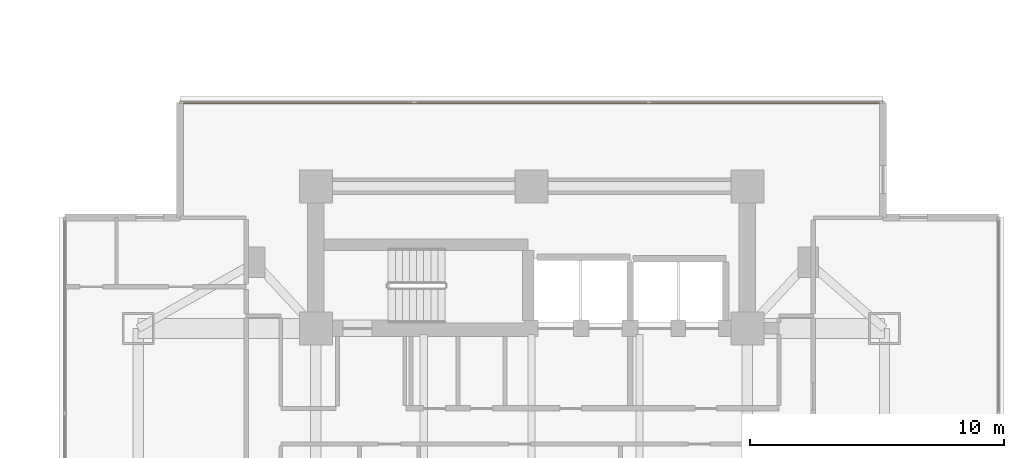
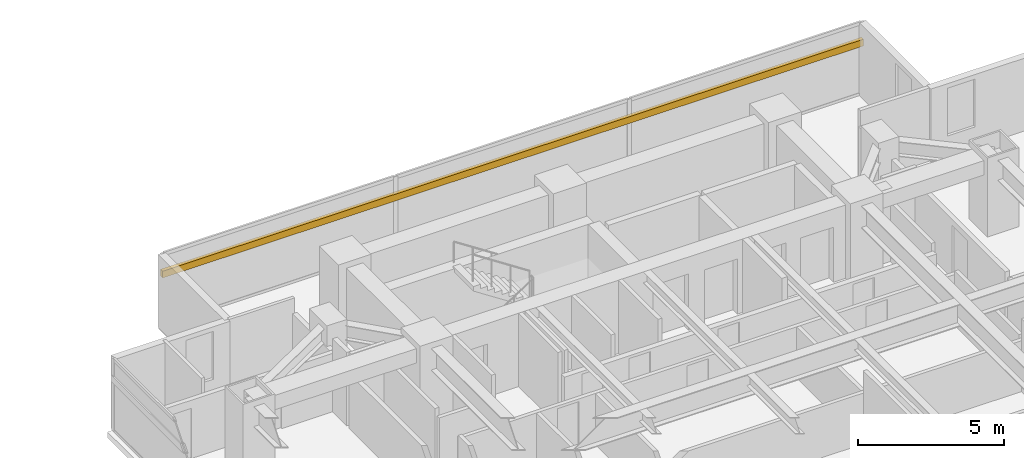
# One storey, part 24 of 24: 1 shading device.
"""IFC4 building model written with IfcOpenShell, lengths in metres."""

import ifcopenshell
import ifcopenshell.guid

model = None  # the IFC model being written
_history = None  # IfcOwnerHistory: only IFC2X3 demands one
_inside = {}  # id of a spatial element -> (the spatial element, [elements in it])
_under = {}  # id of a project, library or spatial element -> (it, [spatial elements below it])
_declared = {}  # id of a project -> (the project, [libraries it declares])
_typed = {}  # id of a type object -> (the type object, [elements of that type])
_made_of = {}  # id of a material, layer set ... -> (it, [elements and type objects made of it])


def new_model(schema):
    """Start an empty IFC model of exactly this schema.

    Asked for "IFC4X3", IfcOpenShell would pick the latest addendum, in which some entities
    have other attributes; the version numbers below select the first issue.
    IFC2X3 requires an IfcOwnerHistory on every rooted entity: one is made here for all.
    """
    global model, _history
    if schema == "IFC4X3":
        model = ifcopenshell.file(schema_version=(4, 3, 0, 0))
    else:
        model = ifcopenshell.file(schema=schema)
    _inside.clear()
    _under.clear()
    _declared.clear()
    _typed.clear()
    _made_of.clear()
    _history = None
    if model.schema == "IFC2X3":
        org = make("IfcOrganization", Name="unknown")
        user = make(
            "IfcPersonAndOrganization",
            ThePerson=make("IfcPerson", FamilyName="unknown"),
            TheOrganization=org,
        )
        app = make(
            "IfcApplication",
            ApplicationDeveloper=org,
            Version="unknown",
            ApplicationFullName="unknown",
            ApplicationIdentifier="unknown",
        )
        _history = make(
            "IfcOwnerHistory",
            OwningUser=user,
            OwningApplication=app,
            ChangeAction="ADDED",
            CreationDate=0,
        )
    return model


def make(cls, **values):
    """One entity of the class cls with the attributes given. An attribute that is None is left unset."""
    return model.create_entity(
        cls, **{name: value for name, value in values.items() if value is not None}
    )


def rooted(cls, **values):
    """An entity with a GlobalId (a new one), such as an element, a storey or a relation."""
    return make(cls, GlobalId=ifcopenshell.guid.new(), OwnerHistory=_history, **values)


def si_unit(unit_type, name, prefix=None):
    """IfcSIUnit, for example si_unit("LENGTHUNIT", "METRE", prefix="MILLI")."""
    return make("IfcSIUnit", UnitType=unit_type, Prefix=prefix, Name=name)


def assignment(units):
    """IfcUnitAssignment: the units of a project."""
    return None if units is None else make("IfcUnitAssignment", Units=units)


def point(xyz):
    """IfcCartesianPoint."""
    return None if xyz is None else make("IfcCartesianPoint", Coordinates=xyz)


def direction(xyz):
    """IfcDirection."""
    return None if xyz is None else make("IfcDirection", DirectionRatios=xyz)


def frame(location, z_axis=None, x_axis=None):
    """IfcAxis2Placement3D, a coordinate frame: its origin and axes. An axis left out is left unset."""
    return make(
        "IfcAxis2Placement3D",
        Location=point(location),
        Axis=direction(z_axis),
        RefDirection=direction(x_axis),
    )


def frame_2d(location, x_axis=None):
    """IfcAxis2Placement2D, a coordinate frame in the plane: its origin and x axis."""
    return make(
        "IfcAxis2Placement2D", Location=point(location), RefDirection=direction(x_axis)
    )


def origin():
    """The frame at (0, 0, 0) with its axes left unset."""
    return frame((0.0, 0.0, 0.0))


def origin_2d():
    """The frame at (0, 0) in the plane with its x axis left unset."""
    return frame_2d((0.0, 0.0))


def place(relative_to, where):
    """IfcLocalPlacement: puts the frame where relative to a parent placement (None: the world)."""
    return make(
        "IfcLocalPlacement", PlacementRelTo=relative_to, RelativePlacement=where
    )


def context(
    kind, dimensions, precision=None, world=None, true_north=None, identifier=None
):
    """IfcGeometricRepresentationContext, for example the 3D "Model" context."""
    return make(
        "IfcGeometricRepresentationContext",
        ContextIdentifier=identifier,
        ContextType=kind,
        CoordinateSpaceDimension=dimensions,
        Precision=precision,
        WorldCoordinateSystem=world,
        TrueNorth=true_north,
    )


def subcontext(parent, identifier, kind, view, scale=None):
    """IfcGeometricRepresentationSubContext, for example "Body" below "Model"."""
    return make(
        "IfcGeometricRepresentationSubContext",
        ContextIdentifier=identifier,
        ContextType=kind,
        ParentContext=parent,
        TargetScale=scale,
        TargetView=view,
    )


def project(units=None, contexts=None):
    """IfcProject with its units and contexts."""
    return rooted(
        "IfcProject",
        Name="project",
        RepresentationContexts=contexts,
        UnitsInContext=assignment(units),
    )


def spatial(cls, under=None, at=None, **own):
    """A site, building, storey or space (cls), placed at a placement, below another one or the project."""
    s = rooted(cls, ObjectPlacement=at, **own)
    if under is not None:
        _under.setdefault(under.id(), (under, []))[1].append(s)
    return s


def profile(cls, at=None, kind="AREA", **sizes):
    """A parametric profile (cls). Its sizes go by their IFC names, for example OverallWidth=200.0."""
    return make(cls, ProfileType=kind, Position=at, **sizes)


def rectangle(**sizes):
    """IfcRectangleProfileDef."""
    return profile("IfcRectangleProfileDef", **sizes)


def extrude(swept, where, along, depth):
    """IfcExtrudedAreaSolid: the profile swept, set in the frame where, extruded along a direction by depth."""
    return make(
        "IfcExtrudedAreaSolid",
        SweptArea=swept,
        Position=where,
        ExtrudedDirection=direction(along),
        Depth=depth,
    )


def shape(context_of_items, identifier, shape_type, items):
    """IfcShapeRepresentation: the items that make up one representation, for example the "Body"."""
    return make(
        "IfcShapeRepresentation",
        ContextOfItems=context_of_items,
        RepresentationIdentifier=identifier,
        RepresentationType=shape_type,
        Items=items,
    )


def material(Name=None, Category=None):
    """IfcMaterial."""
    return make("IfcMaterial", Name=Name, Category=Category)


def material_profile(
    of_material, cross_section, Name=None, Category=None, Priority=None
):
    """IfcMaterialProfile: a cross section and its material."""
    return make(
        "IfcMaterialProfile",
        Name=Name,
        Material=of_material,
        Profile=cross_section,
        Priority=Priority,
        Category=Category,
    )


def profile_set(profiles, Name=None, composite=None):
    """IfcMaterialProfileSet."""
    return make(
        "IfcMaterialProfileSet",
        Name=Name,
        MaterialProfiles=profiles,
        CompositeProfile=composite,
    )


def made_of(thing, what):
    """Note that an element or type object is made of a material, layer set ...; save() writes the relation."""
    if what is not None:
        _made_of.setdefault(what.id(), (what, []))[1].append(thing)
    return thing


def type_object(cls, material=None, **own):
    """A type object (cls), such as IfcWallType, which elements share."""
    return made_of(rooted(cls, **own), material)


def element(
    cls,
    number,
    at=None,
    inside=None,
    cuts=None,
    type_object=None,
    material=None,
    context=None,
    identifier="Body",
    shape_type=None,
    held_by="IfcProductDefinitionShape",
    body=None,
    shapes=None,
    **own,
):
    """One element of the class cls, such as IfcWall. Its Tag is "e" and its number.

    at: its placement. inside: the storey or other place that contains it. cuts: it is an
    opening in that element (IfcRelVoidsElement). A single representation is given by context,
    identifier, shape_type and body (its items); several are given by shapes. held_by: the class
    of the entity that holds the representations. save() writes the other relations.
    """
    e = rooted(cls, Tag="e%d" % number, ObjectPlacement=at, **own)
    if body is not None:
        shapes = [shape(context, identifier, shape_type, body)]
    if shapes is not None:
        e.Representation = make(held_by, Representations=shapes)
    if inside is not None:
        _inside.setdefault(inside.id(), (inside, []))[1].append(e)
    if cuts is not None:
        rooted(
            "IfcRelVoidsElement", RelatingBuildingElement=cuts, RelatedOpeningElement=e
        )
    if type_object is not None:
        _typed.setdefault(type_object.id(), (type_object, []))[1].append(e)
    return made_of(e, material)


def aggregate(whole, parts):
    """IfcRelAggregates: a whole, such as a stair, and the parts it consists of."""
    return rooted("IfcRelAggregates", RelatingObject=whole, RelatedObjects=parts)


def save(model, path):
    """Write the relations noted so far, then the file.

    IfcRelAggregates (storeys below a building ...), IfcRelContainedInSpatialStructure (elements
    in a storey), IfcRelDefinesByType, IfcRelAssociatesMaterial and IfcRelDeclares: one each for
    every whole, place, type object, material and project.
    """
    for whole, parts in _under.values():
        aggregate(whole, parts)
    for where, things in _inside.values():
        rooted(
            "IfcRelContainedInSpatialStructure",
            RelatedElements=things,
            RelatingStructure=where,
        )
    for kind, things in _typed.values():
        rooted("IfcRelDefinesByType", RelatedObjects=things, RelatingType=kind)
    for what, things in _made_of.values():
        rooted("IfcRelAssociatesMaterial", RelatedObjects=things, RelatingMaterial=what)
    for by, libraries in _declared.values():
        rooted("IfcRelDeclares", RelatingContext=by, RelatedDefinitions=libraries)
    model.write(path)


model = new_model("IFC4")

# Units and contexts
model_context = context("Model", 3, precision=1e-05, world=origin(), true_north=direction((0.0, 1.0)))
body_context = subcontext(model_context, "Body", "Model", "MODEL_VIEW")
ifc_project = project(units=[si_unit("LENGTHUNIT", "METRE"), si_unit("AREAUNIT", "SQUARE_METRE"), si_unit("VOLUMEUNIT", "CUBIC_METRE"), si_unit("PLANEANGLEUNIT", "RADIAN"), si_unit("MASSUNIT", "GRAM", prefix="KILO")], contexts=[model_context])

# Site, building, storey
site_placement = place(None, origin())
site = spatial("IfcSite", under=ifc_project, at=site_placement, CompositionType="ELEMENT")
building_placement = place(site_placement, origin())
building = spatial("IfcBuilding", under=site, at=building_placement, Name="Mirazonda Arch Towers", CompositionType="ELEMENT")
storey_placement = place(building_placement, frame((0.0, 0.0, 65.300048828125)))
storey = spatial("IfcBuildingStorey", under=building, at=storey_placement, Name="L18", CompositionType="ELEMENT", Elevation=65.300048828125)

# Shading device
ifc_material = material(Name="Kiln-Fired Architectural Terracotta", Category="masonry")
ifc_material_profile = material_profile(ifc_material, rectangle(XDim=0.139892578125, YDim=0.280029296875, at=origin_2d()), Name="TERRA-BAG-140x280")
ifc_profile_set = profile_set([ifc_material_profile], Name="Kiln-Fired Architectural Terracotta")
shading_device_type = type_object("IfcShadingDeviceType", Name="BAGUETTE-3", PredefinedType="USERDEFINED", material=ifc_profile_set)
shading_device_placement = place(storey_placement, frame((62.654052734375, 44.109130859375, 2.188720703125), z_axis=(1.0, 0.0, 0.0), x_axis=(0.0, 1.0, 0.0)))
element("IfcShadingDevice", 1, at=shading_device_placement, inside=storey, type_object=shading_device_type, Name="L18 Glazed Terracotta Sun-Screen Baguette CW-L18-T2-N", ObjectType="BAGUETTE", PredefinedType="USERDEFINED", context=body_context, shape_type="SweptSolid", body=[
    extrude(rectangle(XDim=0.139892578125, YDim=0.280029296875, at=origin_2d()), origin(), (0.0, 0.0, 1.0), 27.69189453125),
])

save(model, "model.ifc")
